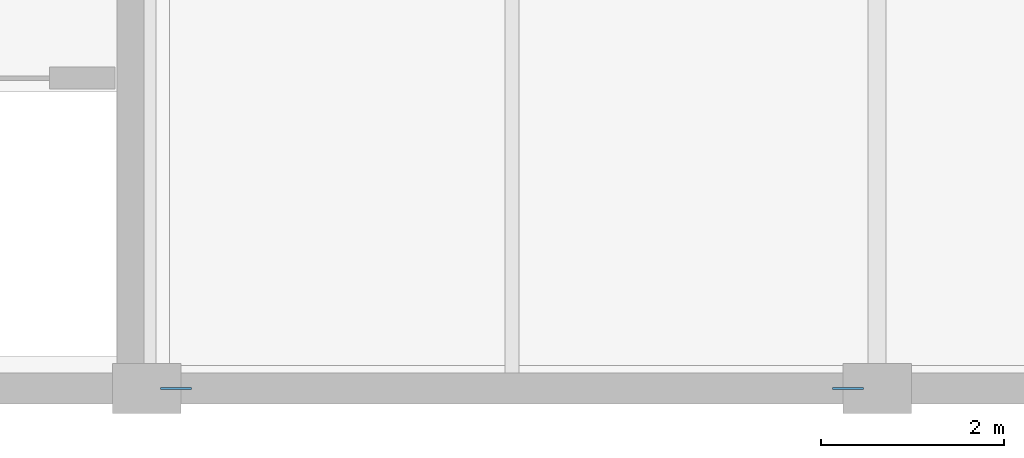
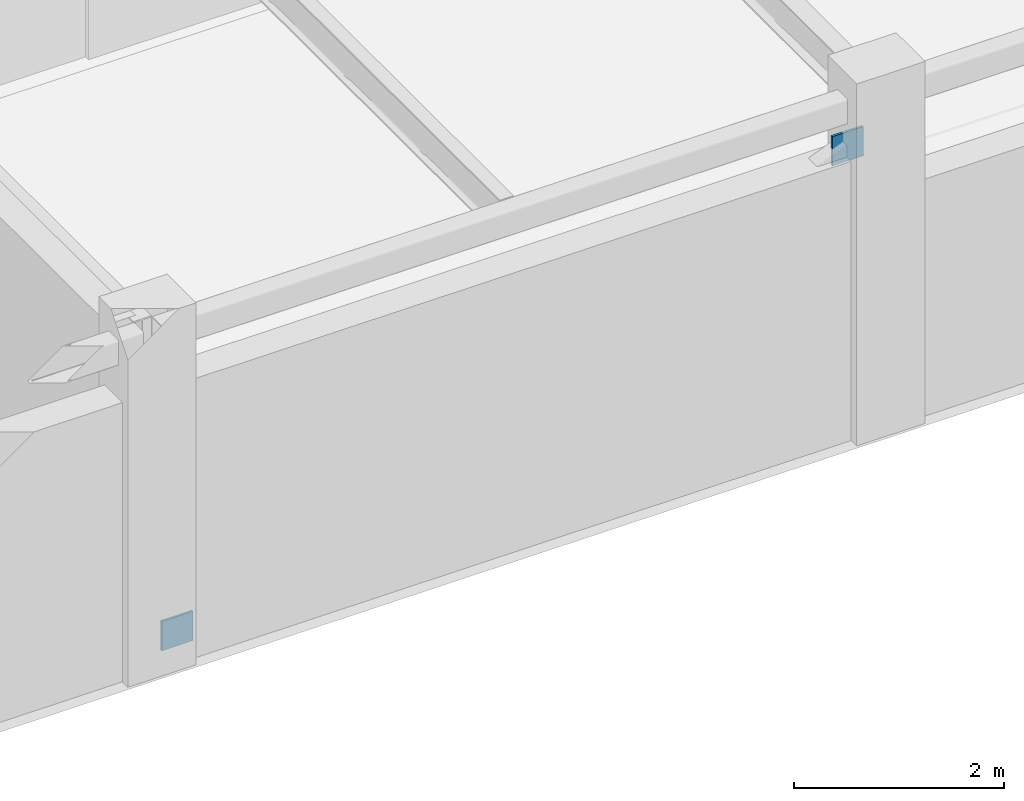
# One storey, part 91 of 126: 2 plates.
"""IFC4 building model written with IfcOpenShell, lengths in metres."""

from ifc_helpers import new_model, si_unit, direction, frame, origin, origin_2d, place, context, subcontext, project, spatial, rectangle, extrude, material, layer, layer_set, type_object, element, save


model = new_model("IFC4")

# Units and contexts
model_context = context("Model", 3, precision=1e-05, world=origin(), true_north=direction((0.0, 1.0)))
body_context = subcontext(model_context, "Body", "Model", "MODEL_VIEW")
ifc_project = project(units=[si_unit("LENGTHUNIT", "METRE"), si_unit("AREAUNIT", "SQUARE_METRE"), si_unit("VOLUMEUNIT", "CUBIC_METRE"), si_unit("PLANEANGLEUNIT", "RADIAN"), si_unit("MASSUNIT", "GRAM", prefix="KILO")], contexts=[model_context])

# Site, building, storey
site_placement = place(None, origin())
site = spatial("IfcSite", under=ifc_project, at=site_placement, CompositionType="ELEMENT")
building_placement = place(site_placement, origin())
building = spatial("IfcBuilding", under=site, at=building_placement, Name="Varnabhumi Central Station", CompositionType="ELEMENT")
storey_placement = place(building_placement, frame((0.0, 0.0, 16.199951171875)))
storey = spatial("IfcBuildingStorey", under=building, at=storey_placement, Name="L03", CompositionType="ELEMENT", Elevation=16.199951171875)

# Plates
ifc_material = material(Name="Structural steel E350", Category="steel")
ifc_layer = layer(ifc_material, 0.031982421875, Name="Structural steel E350", Category="steel")
ifc_layer_set = layer_set([ifc_layer], Name="Structural steel E350")
plate_type = type_object("IfcPlateType", Name="PLT-GUSSET-A", PredefinedType="USERDEFINED", material=ifc_layer_set)
for number, where, z_axis, x_axis, name in (
    (1, (48.320068359375, 0.0, 0.080078125), (0.0, 0.0, 1.0), (1.0, 0.0, 0.0), "Lateral Brace End Gusset WB-4-B"),
    (2, (55.679931640625, 0.0, 3.1298828125), (0.0, 0.0, 1.0), (1.0, 0.0, 0.0), "Lateral Brace End Gusset WB-4-T"),
):
    element("IfcPlate", number, at=place(storey_placement, frame(where, z_axis=z_axis, x_axis=x_axis)), inside=storey, type_object=plate_type, Name=name, ObjectType="GUSSET PLATE", PredefinedType="USERDEFINED", context=body_context, shape_type="SweptSolid", body=[
        extrude(rectangle(XDim=0.340087890625, YDim=0.02490234375, at=origin_2d()), origin(), (0.0, 0.0, 1.0), 0.340087890625),
    ])

save(model, "model.ifc")
